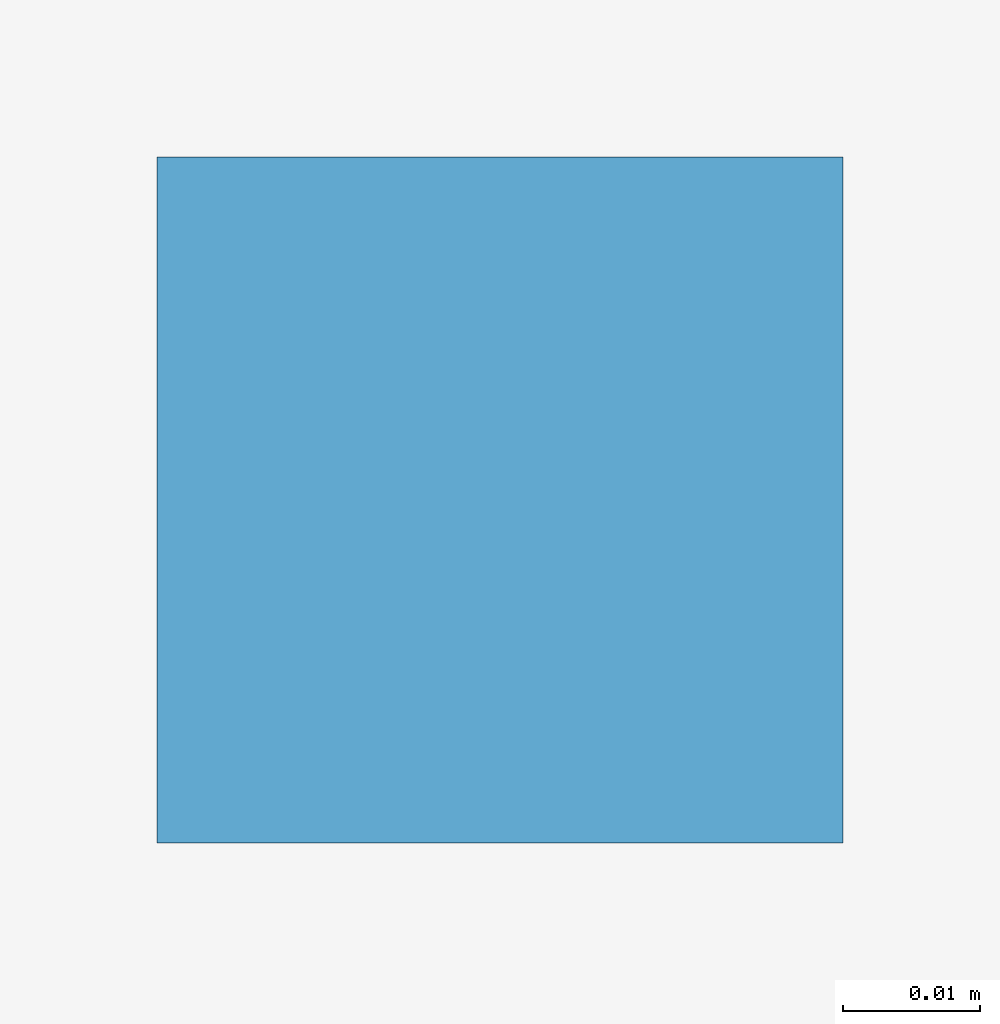
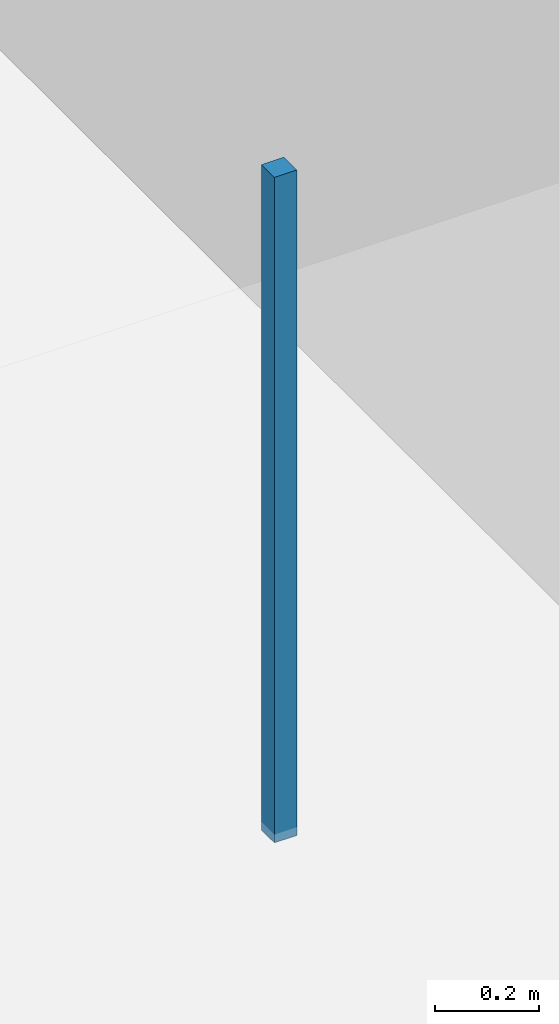
# One storey, part 46 of 56: 1 discrete accessory.
"""IFC4 building model written with IfcOpenShell, lengths in metres."""

from ifc_helpers import new_model, si_unit, direction, frame, origin, origin_2d, place, context, subcontext, project, spatial, rectangle, extrude, material, type_object, element, save


model = new_model("IFC4")

# Units and contexts
model_context = context("Model", 3, precision=1e-05, world=origin(), true_north=direction((0.0, 1.0)))
body_context = subcontext(model_context, "Body", "Model", "MODEL_VIEW")
ifc_project = project(units=[si_unit("LENGTHUNIT", "METRE"), si_unit("AREAUNIT", "SQUARE_METRE"), si_unit("VOLUMEUNIT", "CUBIC_METRE"), si_unit("PLANEANGLEUNIT", "RADIAN"), si_unit("MASSUNIT", "GRAM", prefix="KILO")], contexts=[model_context])

# Site, building, storey
site_placement = place(None, origin())
site = spatial("IfcSite", under=ifc_project, at=site_placement, CompositionType="ELEMENT")
building_placement = place(site_placement, origin())
building = spatial("IfcBuilding", under=site, at=building_placement, Name="Kazehaya Institute of Natural Sciences", CompositionType="ELEMENT")
storey_placement = place(building_placement, origin())
storey = spatial("IfcBuildingStorey", under=building, at=storey_placement, Name="L00", CompositionType="ELEMENT", Elevation=0.0)

# Discrete accessory
ifc_material = material(Name="Structural steel SN490B", Category="steel")
discrete_accessory_type = type_object("IfcDiscreteAccessoryType", Name="ACC-CLG-HGR", PredefinedType="BRACKET", material=ifc_material)
discrete_accessory_placement = place(storey_placement, frame((158.89990234375, 24.800048828125, 3.75244140625), z_axis=(0.0, 0.0, 1.0), x_axis=(1.0, 0.0, 0.0)))
element("IfcDiscreteAccessory", 1, at=discrete_accessory_placement, inside=storey, type_object=discrete_accessory_type, Name="L00 ceiling suspension hanger 9", PredefinedType="BRACKET", context=body_context, shape_type="SweptSolid", body=[
    extrude(rectangle(XDim=0.050048828125, YDim=0.050048828125, at=origin_2d()), origin(), (0.0, 0.0, 1.0), 1.5673828125),
])

save(model, "model.ifc")
